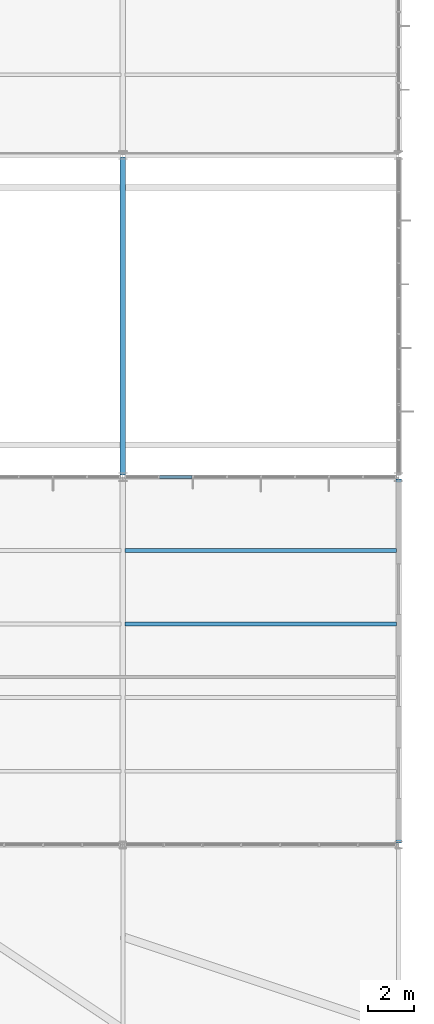
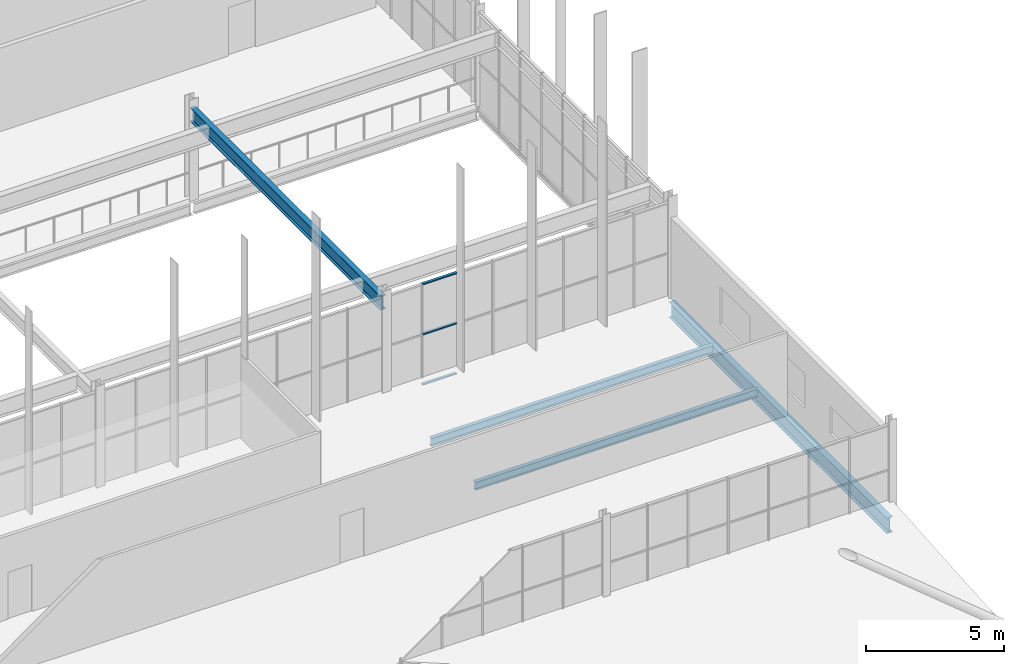
# One storey, part 197 of 324: 4 beams, 3 members, 1 element without a shape of its own.
"""IFC4 building model written with IfcOpenShell, lengths in metres."""

from ifc_helpers import new_model, si_unit, direction, frame, origin, origin_2d, place, context, subcontext, project, spatial, hollow_rectangle, i_section, extrude, material, layer, layer_set, material_profile, profile_set, type_object, element, aggregate, save


model = new_model("IFC4")

# Units and contexts
model_context = context("Model", 3, precision=1e-05, world=origin(), true_north=direction((0.0, 1.0)))
body_context = subcontext(model_context, "Body", "Model", "MODEL_VIEW")
ifc_project = project(units=[si_unit("LENGTHUNIT", "METRE"), si_unit("AREAUNIT", "SQUARE_METRE"), si_unit("VOLUMEUNIT", "CUBIC_METRE"), si_unit("PLANEANGLEUNIT", "RADIAN"), si_unit("MASSUNIT", "GRAM", prefix="KILO")], contexts=[model_context])

# Site, building, storey
site_placement = place(None, origin())
site = spatial("IfcSite", under=ifc_project, at=site_placement, CompositionType="ELEMENT")
building_placement = place(site_placement, origin())
building = spatial("IfcBuilding", under=site, at=building_placement, Name="Solvenia Promenade Tram Depot", CompositionType="ELEMENT")
storey_placement = place(building_placement, frame((0.0, 0.0, 4.5)))
storey = spatial("IfcBuildingStorey", under=building, at=storey_placement, Name="L01", CompositionType="ELEMENT", Elevation=4.5)

# Curtain wall, members
ifc_material_1 = material(Name="Anodized aluminium AW-6063 T6", Category="aluminium")
ifc_layer = layer(ifc_material_1, 0.080078125, Name="Anodized aluminium AW-6063 T6", Category="aluminium")
ifc_layer_set = layer_set([ifc_layer], Name="Anodized aluminium AW-6063 T6")
curtain_wall_type = type_object("IfcCurtainWallType", Name="CW-Clerest-1500", PredefinedType="NOTDEFINED", material=ifc_layer_set)
curtain_wall_placement = place(storey_placement, origin())
curtain_wall = element("IfcCurtainWall", 1, at=curtain_wall_placement, inside=storey, type_object=curtain_wall_type, Name="Curtain Wall CW-V2S-L1-09", PredefinedType="NOTDEFINED")
ifc_material_profile_1 = material_profile(ifc_material_1, hollow_rectangle(XDim=0.110107421875, YDim=0.054931640625, WallThickness=0.00390625, at=origin_2d()), Name="ALU-T4", Category="aluminium")
ifc_profile_set_1 = profile_set([ifc_material_profile_1], Name="Anodized aluminium AW-6063 T6")
member_type = type_object("IfcMemberType", Name="CWT-Transom-4", PredefinedType="USERDEFINED", material=ifc_profile_set_1)
member_1_placement = place(storey_placement, frame((175.58740234375, 24.0, -0.322509765625), z_axis=(1.0, 0.0, 0.0), x_axis=(0.0, 1.0, 0.0)))
member_1 = element("IfcMember", 2, at=member_1_placement, type_object=member_type, Name="CW-4 transom 2.1", ObjectType="TRANSOM", PredefinedType="USERDEFINED", context=body_context, shape_type="SweptSolid", body=[
    extrude(hollow_rectangle(XDim=0.110107421875, YDim=0.054931640625, WallThickness=0.00390625, at=origin_2d()), origin(), (0.0, 0.0, 1.0), 1.425048828125),
])
member_2_placement = place(storey_placement, frame((175.58740234375, 24.0, 1.89990234375), z_axis=(1.0, 0.0, 0.0), x_axis=(0.0, 1.0, 0.0)))
member_2 = element("IfcMember", 3, at=member_2_placement, type_object=member_type, Name="CW-4 transom 2.2", ObjectType="TRANSOM", PredefinedType="USERDEFINED", context=body_context, shape_type="SweptSolid", body=[
    extrude(hollow_rectangle(XDim=0.110107421875, YDim=0.054931640625, WallThickness=0.00390625, at=origin_2d()), origin(), (0.0, 0.0, 1.0), 1.425048828125),
])
member_3_placement = place(storey_placement, frame((175.58740234375, 24.0, 4.12255859375), z_axis=(1.0, 0.0, 0.0), x_axis=(0.0, 1.0, 0.0)))
member_3 = element("IfcMember", 4, at=member_3_placement, type_object=member_type, Name="CW-4 transom 2.3", ObjectType="TRANSOM", PredefinedType="USERDEFINED", context=body_context, shape_type="SweptSolid", body=[
    extrude(hollow_rectangle(XDim=0.110107421875, YDim=0.054931640625, WallThickness=0.00390625, at=origin_2d()), origin(), (0.0, 0.0, 1.0), 1.425048828125),
])
aggregate(curtain_wall, [member_1, member_2, member_3])

# Beams
ifc_material_2 = material(Name="Structural steel ASTM A992 Gr. 50", Category="steel")
ifc_material_profile_2 = material_profile(ifc_material_2, i_section(OverallWidth=0.22900390625, OverallDepth=0.612060546875, WebThickness=0.011962890625, FlangeThickness=0.01953125, FilletRadius=0.014892578125, at=origin_2d()), Name="W610x125", Category="steel")
ifc_profile_set_2 = profile_set([ifc_material_profile_2], Name="Structural steel ASTM A992 Gr. 50")
beam_type_1 = type_object("IfcBeamType", Name="Gird-W610x125", PredefinedType="BEAM", material=ifc_profile_set_2)
beam_1_placement = place(storey_placement, frame((174.0, 24.0849609375, 3.7939453125), z_axis=(0.0, 1.0, 0.0), x_axis=(-1.0, 0.0, 0.0)))
element("IfcBeam", 5, at=beam_1_placement, inside=storey, type_object=beam_type_1, Name="Crane Hall Cross Bearer BM-L01-0914", PredefinedType="BEAM", context=body_context, shape_type="SweptSolid", body=[
    extrude(i_section(OverallWidth=0.22900390625, OverallDepth=0.612060546875, WebThickness=0.011962890625, FlangeThickness=0.01953125, FilletRadius=0.014892578125, at=origin_2d()), origin(), (0.0, 0.0, 1.0), 13.830078125),
])
ifc_material_profile_3 = material_profile(ifc_material_2, i_section(OverallWidth=0.25390625, OverallDepth=0.68408203125, WebThickness=0.012451171875, FlangeThickness=0.018798828125, FilletRadius=0.01611328125, at=origin_2d()), Name="W690x140", Category="steel")
ifc_profile_set_3 = profile_set([ifc_material_profile_3], Name="Structural steel ASTM A992 Gr. 50")
beam_type_2 = type_object("IfcBeamType", Name="Gird-W690x140", PredefinedType="BEAM", material=ifc_profile_set_3)
beam_2_placement = place(storey_placement, frame((186.0, 8.0849609375, -0.56201171875), z_axis=(0.0, 1.0, 0.0), x_axis=(-1.0, 0.0, 0.0)))
element("IfcBeam", 6, at=beam_2_placement, inside=storey, type_object=beam_type_2, Name="Transverse Girder BM-L01-0429", PredefinedType="BEAM", context=body_context, shape_type="SweptSolid", body=[
    extrude(i_section(OverallWidth=0.25390625, OverallDepth=0.68408203125, WebThickness=0.012451171875, FlangeThickness=0.018798828125, FilletRadius=0.01611328125, at=origin_2d()), origin(), (0.0, 0.0, 1.0), 15.830078125),
])
ifc_material_profile_4 = material_profile(ifc_material_2, i_section(OverallWidth=0.172119140625, OverallDepth=0.35791015625, WebThickness=0.0078125, FlangeThickness=0.01318359375, FilletRadius=0.010986328125, at=origin_2d()), Name="W360x57", Category="steel")
ifc_profile_set_4 = profile_set([ifc_material_profile_4], Name="Structural steel ASTM A992 Gr. 50")
beam_type_3 = type_object("IfcBeamType", Name="Joist-W360x57", PredefinedType="JOIST", material=ifc_profile_set_4)
for number, where, z_axis, x_axis, name in (
    (7, (174.0849609375, 17.60009765625, -0.39892578125), (1.0, 0.0, 0.0), (0.0, 1.0, 0.0), "Secondary Floor Joist BM-L01-0446"),
    (8, (174.0849609375, 20.800048828125, -0.39892578125), (1.0, 0.0, 0.0), (0.0, 1.0, 0.0), "Secondary Floor Joist BM-L01-0447"),
):
    element("IfcBeam", number, at=place(storey_placement, frame(where, z_axis=z_axis, x_axis=x_axis)), inside=storey, type_object=beam_type_3, Name=name, PredefinedType="JOIST", context=body_context, shape_type="SweptSolid", body=[
        extrude(i_section(OverallWidth=0.172119140625, OverallDepth=0.35791015625, WebThickness=0.0078125, FlangeThickness=0.01318359375, FilletRadius=0.010986328125, at=origin_2d()), origin(), (0.0, 0.0, 1.0), 11.830078125),
    ])

save(model, "model.ifc")
